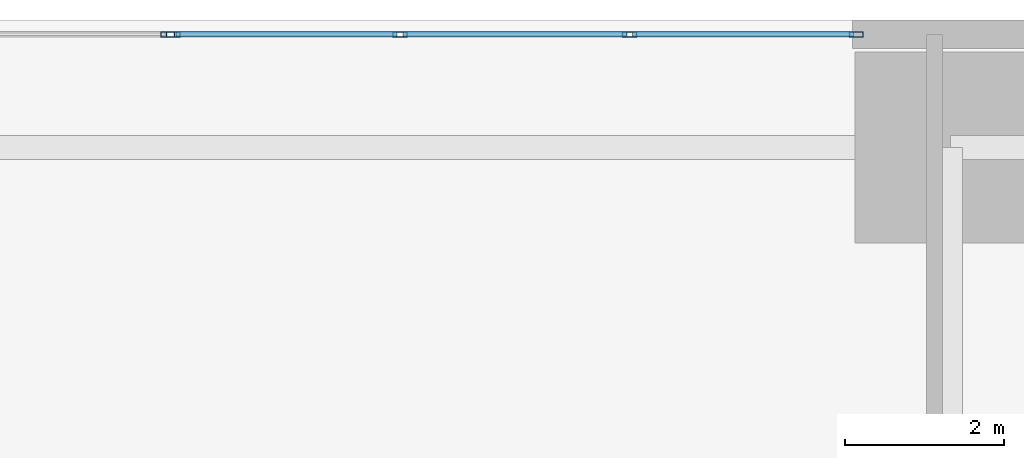
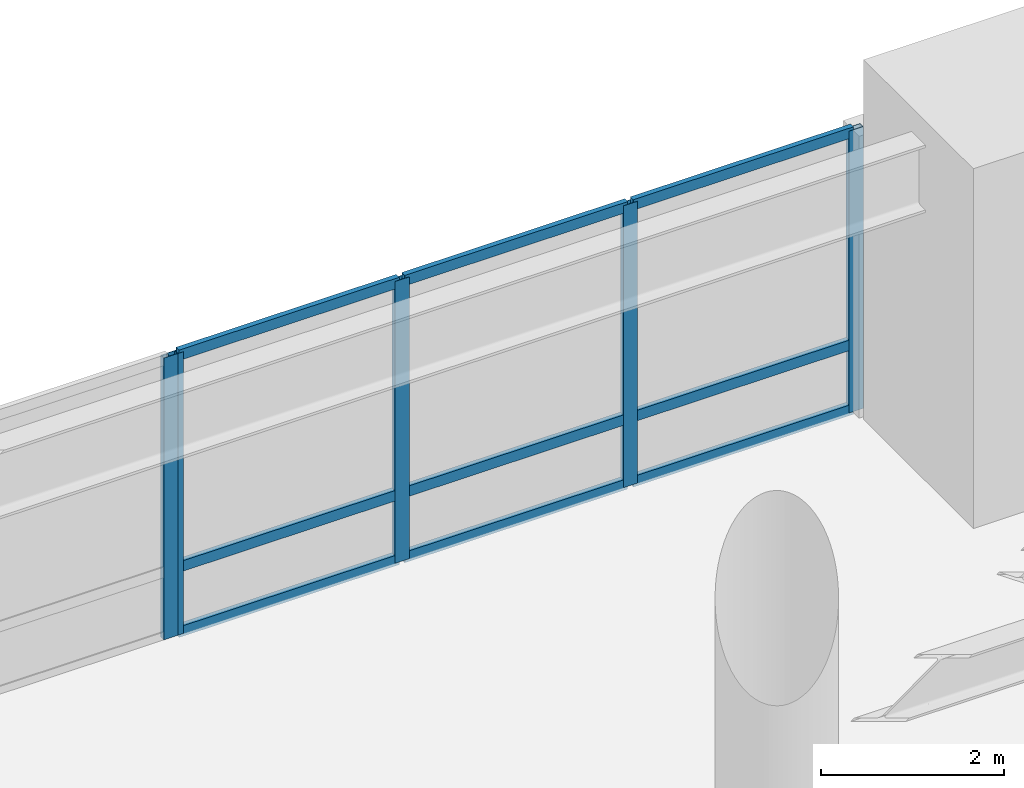
# One storey, part 12 of 17: 14 members, 2 elements without a shape of their own.
"""IFC4 building model written with IfcOpenShell, lengths in metres."""

from ifc_helpers import new_model, si_unit, direction, frame, origin, origin_2d, place, context, subcontext, project, spatial, hollow_rectangle, extrude, material, layer, layer_set, material_profile, profile_set, type_object, element, aggregate, save


model = new_model("IFC4")

# Units and contexts
model_context = context("Model", 3, precision=1e-05, world=origin(), true_north=direction((0.0, 1.0)))
body_context = subcontext(model_context, "Body", "Model", "MODEL_VIEW")
ifc_project = project(units=[si_unit("LENGTHUNIT", "METRE"), si_unit("AREAUNIT", "SQUARE_METRE"), si_unit("VOLUMEUNIT", "CUBIC_METRE"), si_unit("PLANEANGLEUNIT", "RADIAN"), si_unit("MASSUNIT", "GRAM", prefix="KILO"), si_unit("THERMODYNAMICTEMPERATUREUNIT", "KELVIN"), si_unit("POWERUNIT", "WATT")], contexts=[model_context])

# Site, building, storey
site_placement = place(None, origin())
site = spatial("IfcSite", under=ifc_project, at=site_placement, CompositionType="ELEMENT")
building_placement = place(site_placement, origin())
building = spatial("IfcBuilding", under=site, at=building_placement, Name="Ocrelia Relay Tower", CompositionType="ELEMENT")
storey_placement = place(building_placement, frame((0.0, 0.0, 20.39990234375)))
storey = spatial("IfcBuildingStorey", under=building, at=storey_placement, Name="L04", CompositionType="ELEMENT", Elevation=20.39990234375)

# Curtain wall, member
ifc_material_1 = material(Name="Aluminium and solar-control low-E glass", Category="aluminium")
ifc_layer = layer(ifc_material_1, 0.179931640625, Name="Aluminium and solar-control low-E glass")
ifc_layer_set = layer_set([ifc_layer], Name="Aluminium and solar-control low-E glass")
curtain_wall_type = type_object("IfcCurtainWallType", Name="CW-SYS-POD-GALL", PredefinedType="NOTDEFINED", material=ifc_layer_set)
curtain_wall_1_placement = place(storey_placement, origin())
curtain_wall_1 = element("IfcCurtainWall", 1, at=curtain_wall_1_placement, inside=storey, type_object=curtain_wall_type, Name="L04 North Over-Arch Curtain Wall West", PredefinedType="NOTDEFINED")
ifc_material_2 = material(Name="Anodised bronze aluminium", Category="aluminium")
ifc_material_profile_1 = material_profile(ifc_material_2, hollow_rectangle(XDim=0.070068359375, YDim=0.179931640625, WallThickness=0.006103515625, at=origin_2d()), Name="CW-MUL-180x70")
ifc_profile_set_1 = profile_set([ifc_material_profile_1], Name="Anodised bronze aluminium")
member_type_1 = type_object("IfcMemberType", Name="CW-SYS-POD-GALL-MUL", PredefinedType="MULLION", material=ifc_profile_set_1)
member_1_placement = place(storey_placement, frame((33.965087890625, 51.820068359375, 0.0), z_axis=(0.0, 0.0, 1.0), x_axis=(0.0, 1.0, 0.0)))
member_1 = element("IfcMember", 2, at=member_1_placement, type_object=member_type_1, Name="CW-PG mullion 4", PredefinedType="MULLION", context=body_context, shape_type="SweptSolid", body=[
    extrude(hollow_rectangle(XDim=0.070068359375, YDim=0.179931640625, WallThickness=0.006103515625, at=origin_2d()), origin(), (0.0, 0.0, 1.0), 3.760009765625),
])
aggregate(curtain_wall_1, [member_1])

# Curtain wall, members
curtain_wall_2_placement = place(storey_placement, origin())
curtain_wall_2 = element("IfcCurtainWall", 3, at=curtain_wall_2_placement, inside=storey, type_object=curtain_wall_type, Name="L04 North Over-Arch Curtain Wall East", PredefinedType="NOTDEFINED")
member_2_placement = place(storey_placement, frame((34.034912109375, 51.820068359375, 0.0), z_axis=(0.0, 0.0, 1.0), x_axis=(0.0, 1.0, 0.0)))
member_2 = element("IfcMember", 4, at=member_2_placement, type_object=member_type_1, Name="CW-PG mullion 1", PredefinedType="MULLION", context=body_context, shape_type="SweptSolid", body=[
    extrude(hollow_rectangle(XDim=0.070068359375, YDim=0.179931640625, WallThickness=0.006103515625, at=origin_2d()), origin(), (0.0, 0.0, 1.0), 3.760009765625),
])
member_3_placement = place(storey_placement, frame((36.88330078125, 51.820068359375, 0.0), z_axis=(0.0, 0.0, 1.0), x_axis=(0.0, 1.0, 0.0)))
member_3 = element("IfcMember", 5, at=member_3_placement, type_object=member_type_1, Name="CW-PG mullion 2", PredefinedType="MULLION", context=body_context, shape_type="SweptSolid", body=[
    extrude(hollow_rectangle(XDim=0.070068359375, YDim=0.179931640625, WallThickness=0.006103515625, at=origin_2d()), origin(), (0.0, 0.0, 1.0), 3.760009765625),
])
member_4_placement = place(storey_placement, frame((39.7666015625, 51.820068359375, 0.0), z_axis=(0.0, 0.0, 1.0), x_axis=(0.0, 1.0, 0.0)))
member_4 = element("IfcMember", 6, at=member_4_placement, type_object=member_type_1, Name="CW-PG mullion 3", PredefinedType="MULLION", context=body_context, shape_type="SweptSolid", body=[
    extrude(hollow_rectangle(XDim=0.070068359375, YDim=0.179931640625, WallThickness=0.006103515625, at=origin_2d()), origin(), (0.0, 0.0, 1.0), 3.760009765625),
])
member_5_placement = place(storey_placement, frame((42.614990234375, 51.820068359375, 0.0), z_axis=(0.0, 0.0, 1.0), x_axis=(0.0, 1.0, 0.0)))
member_5 = element("IfcMember", 7, at=member_5_placement, type_object=member_type_1, Name="CW-PG mullion 4", PredefinedType="MULLION", context=body_context, shape_type="SweptSolid", body=[
    extrude(hollow_rectangle(XDim=0.070068359375, YDim=0.179931640625, WallThickness=0.006103515625, at=origin_2d()), origin(), (0.0, 0.0, 1.0), 3.760009765625),
])
ifc_material_profile_2 = material_profile(ifc_material_2, hollow_rectangle(XDim=0.06494140625, YDim=0.139892578125, WallThickness=0.0048828125, at=origin_2d()), Name="CW-TRN-140x65")
ifc_profile_set_2 = profile_set([ifc_material_profile_2], Name="Anodised bronze aluminium")
member_type_2 = type_object("IfcMemberType", Name="CW-SYS-POD-GALL-TRN", PredefinedType="USERDEFINED", material=ifc_profile_set_2)
member_6_placement = place(storey_placement, frame((34.070068359375, 51.820068359375, 0.03271484375), z_axis=(1.0, 0.0, 0.0), x_axis=(0.0, 1.0, 0.0)))
member_6 = element("IfcMember", 8, at=member_6_placement, type_object=member_type_2, Name="CW-PG transom 1.1", ObjectType="TRANSOM", PredefinedType="USERDEFINED", context=body_context, shape_type="SweptSolid", body=[
    extrude(hollow_rectangle(XDim=0.06494140625, YDim=0.139892578125, WallThickness=0.0048828125, at=origin_2d()), origin(), (0.0, 0.0, 1.0), 2.7783203125),
])
member_7_placement = place(storey_placement, frame((34.070068359375, 51.820068359375, 0.900146484375), z_axis=(1.0, 0.0, 0.0), x_axis=(0.0, 1.0, 0.0)))
member_7 = element("IfcMember", 9, at=member_7_placement, type_object=member_type_2, Name="CW-PG transom 1.2", ObjectType="TRANSOM", PredefinedType="USERDEFINED", context=body_context, shape_type="SweptSolid", body=[
    extrude(hollow_rectangle(XDim=0.06494140625, YDim=0.139892578125, WallThickness=0.0048828125, at=origin_2d()), origin(), (0.0, 0.0, 1.0), 2.7783203125),
])
member_8_placement = place(storey_placement, frame((34.070068359375, 51.820068359375, 3.7275390625), z_axis=(1.0, 0.0, 0.0), x_axis=(0.0, 1.0, 0.0)))
member_8 = element("IfcMember", 10, at=member_8_placement, type_object=member_type_2, Name="CW-PG transom 1.3", ObjectType="TRANSOM", PredefinedType="USERDEFINED", context=body_context, shape_type="SweptSolid", body=[
    extrude(hollow_rectangle(XDim=0.06494140625, YDim=0.139892578125, WallThickness=0.0048828125, at=origin_2d()), origin(), (0.0, 0.0, 1.0), 2.7783203125),
])
member_9_placement = place(storey_placement, frame((36.918212890625, 51.820068359375, 0.03271484375), z_axis=(1.0, 0.0, 0.0), x_axis=(0.0, 1.0, 0.0)))
member_9 = element("IfcMember", 11, at=member_9_placement, type_object=member_type_2, Name="CW-PG transom 2.1", ObjectType="TRANSOM", PredefinedType="USERDEFINED", context=body_context, shape_type="SweptSolid", body=[
    extrude(hollow_rectangle(XDim=0.06494140625, YDim=0.139892578125, WallThickness=0.0048828125, at=origin_2d()), origin(), (0.0, 0.0, 1.0), 2.8134765625),
])
member_10_placement = place(storey_placement, frame((36.918212890625, 51.820068359375, 0.900146484375), z_axis=(1.0, 0.0, 0.0), x_axis=(0.0, 1.0, 0.0)))
member_10 = element("IfcMember", 12, at=member_10_placement, type_object=member_type_2, Name="CW-PG transom 2.2", ObjectType="TRANSOM", PredefinedType="USERDEFINED", context=body_context, shape_type="SweptSolid", body=[
    extrude(hollow_rectangle(XDim=0.06494140625, YDim=0.139892578125, WallThickness=0.0048828125, at=origin_2d()), origin(), (0.0, 0.0, 1.0), 2.8134765625),
])
member_11_placement = place(storey_placement, frame((36.918212890625, 51.820068359375, 3.7275390625), z_axis=(1.0, 0.0, 0.0), x_axis=(0.0, 1.0, 0.0)))
member_11 = element("IfcMember", 13, at=member_11_placement, type_object=member_type_2, Name="CW-PG transom 2.3", ObjectType="TRANSOM", PredefinedType="USERDEFINED", context=body_context, shape_type="SweptSolid", body=[
    extrude(hollow_rectangle(XDim=0.06494140625, YDim=0.139892578125, WallThickness=0.0048828125, at=origin_2d()), origin(), (0.0, 0.0, 1.0), 2.8134765625),
])
member_12_placement = place(storey_placement, frame((39.8017578125, 51.820068359375, 0.03271484375), z_axis=(1.0, 0.0, 0.0), x_axis=(0.0, 1.0, 0.0)))
member_12 = element("IfcMember", 14, at=member_12_placement, type_object=member_type_2, Name="CW-PG transom 3.1", ObjectType="TRANSOM", PredefinedType="USERDEFINED", context=body_context, shape_type="SweptSolid", body=[
    extrude(hollow_rectangle(XDim=0.06494140625, YDim=0.139892578125, WallThickness=0.0048828125, at=origin_2d()), origin(), (0.0, 0.0, 1.0), 2.7783203125),
])
member_13_placement = place(storey_placement, frame((39.8017578125, 51.820068359375, 0.900146484375), z_axis=(1.0, 0.0, 0.0), x_axis=(0.0, 1.0, 0.0)))
member_13 = element("IfcMember", 15, at=member_13_placement, type_object=member_type_2, Name="CW-PG transom 3.2", ObjectType="TRANSOM", PredefinedType="USERDEFINED", context=body_context, shape_type="SweptSolid", body=[
    extrude(hollow_rectangle(XDim=0.06494140625, YDim=0.139892578125, WallThickness=0.0048828125, at=origin_2d()), origin(), (0.0, 0.0, 1.0), 2.7783203125),
])
member_14_placement = place(storey_placement, frame((39.8017578125, 51.820068359375, 3.7275390625), z_axis=(1.0, 0.0, 0.0), x_axis=(0.0, 1.0, 0.0)))
member_14 = element("IfcMember", 16, at=member_14_placement, type_object=member_type_2, Name="CW-PG transom 3.3", ObjectType="TRANSOM", PredefinedType="USERDEFINED", context=body_context, shape_type="SweptSolid", body=[
    extrude(hollow_rectangle(XDim=0.06494140625, YDim=0.139892578125, WallThickness=0.0048828125, at=origin_2d()), origin(), (0.0, 0.0, 1.0), 2.7783203125),
])
aggregate(curtain_wall_2, [member_2, member_3, member_4, member_5, member_6, member_7, member_8, member_9, member_10, member_11, member_12, member_13, member_14])

save(model, "model.ifc")
